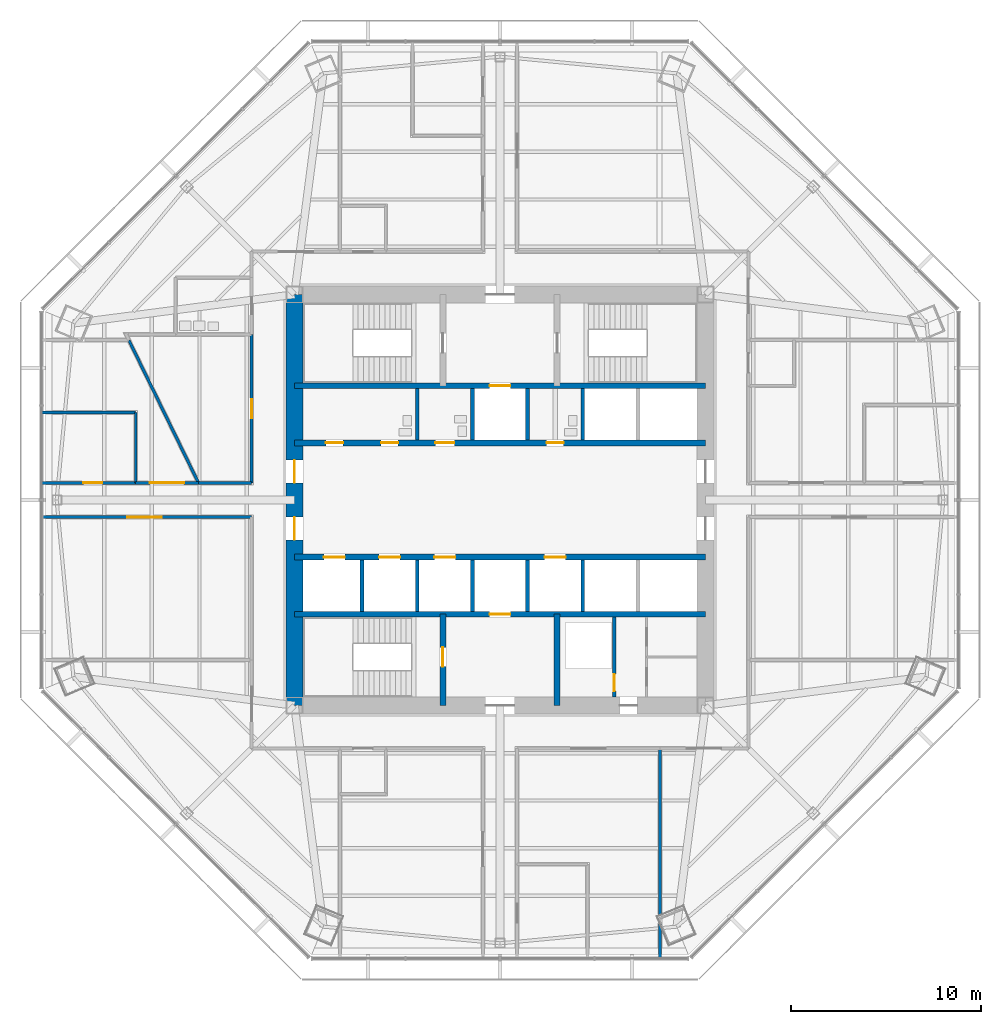
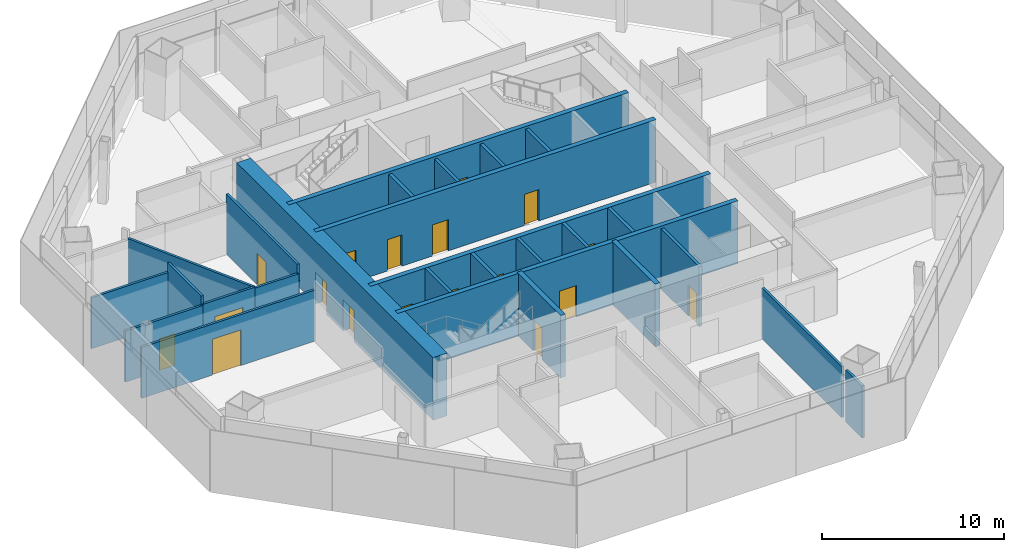
# One storey, part 9 of 14: 27 walls, 18 doors, 18 openings.
"""IFC4 building model written with IfcOpenShell, lengths in metres."""

from ifc_helpers import new_model, si_unit, direction, frame, frame_2d, origin, place, context, subcontext, project, spatial, rectangle, extrude, material, layer, layer_set, type_object, element, fill, save


model = new_model("IFC4")

# Units and contexts
model_context = context("Model", 3, precision=1e-05, world=origin(), true_north=direction((0.0, 1.0)))
body_context = subcontext(model_context, "Body", "Model", "MODEL_VIEW")
ifc_project = project(units=[si_unit("LENGTHUNIT", "METRE"), si_unit("AREAUNIT", "SQUARE_METRE"), si_unit("VOLUMEUNIT", "CUBIC_METRE"), si_unit("PLANEANGLEUNIT", "RADIAN"), si_unit("MASSUNIT", "GRAM", prefix="KILO")], contexts=[model_context])

# Site, building, storey
site_placement = place(None, origin())
site = spatial("IfcSite", under=ifc_project, at=site_placement, CompositionType="ELEMENT")
building_placement = place(site_placement, origin())
building = spatial("IfcBuilding", under=site, at=building_placement, Name="Mashrafa Tower", CompositionType="ELEMENT")
storey_placement = place(building_placement, frame((0.0, 0.0, 138.60009765625)))
storey = spatial("IfcBuildingStorey", under=building, at=storey_placement, Name="L31", CompositionType="ELEMENT", Elevation=138.60009765625)

# Wall, opening, door
ifc_material_1 = material(Name="Concrete masonry unit", Category="masonry")
ifc_layer_1 = layer(ifc_material_1, 0.199951171875)
ifc_layer_set_1 = layer_set([ifc_layer_1], Name="Blockwork wall 200 2 hr")
wall_type_1 = type_object("IfcWallType", Name="Blockwork wall 200 2 hr", PredefinedType="PARTITIONING", material=ifc_layer_set_1)
wall_1_placement = place(storey_placement, frame((6.0, -10.35009765625, 0.0), z_axis=(0.0, 0.0, 1.0), x_axis=(0.0, 1.0, 0.0)))
wall_1 = element("IfcWall", 1, at=wall_1_placement, inside=storey, type_object=wall_type_1, Name="Riser enclosure wall L31", PredefinedType="PARTITIONING", context=body_context, shape_type="SweptSolid", body=[
    extrude(rectangle(XDim=4.2001953125, YDim=0.199951171875, at=frame_2d((2.10009765625, 0.0))), origin(), (0.0, 0.0, 1.0), 4.034912109375),
])
opening_1_placement = place(wall_1_placement, frame((0.300048828125, 0.0, 0.0)))
opening_1 = element("IfcOpeningElement", 2, at=opening_1_placement, cuts=wall_1, Name="Opening 31.032", PredefinedType="OPENING", context=body_context, shape_type="SweptSolid", body=[
    extrude(rectangle(XDim=0.89990234375, YDim=2.10009765625, at=frame_2d((0.449951171875, 1.050048828125))), frame((0.0, 0.10986328125, 0.0), z_axis=(0.0, -1.0, 0.0), x_axis=(1.0, 0.0, 0.0)), (0.0, 0.0, 1.0), 0.219970703125),
])
ifc_material_2 = material(Name="Steel door", Category="steel")
door_type_1 = type_object("IfcDoorType", Name="Service door 900 x 2100 90 min", OperationType="USERDEFINED", PredefinedType="DOOR", material=ifc_material_2)
door_1_placement = place(opening_1_placement, origin())
door_1 = element("IfcDoor", 3, at=door_1_placement, inside=storey, type_object=door_type_1, Name="Riser door L31", OperationType="SINGLE_SWING_LEFT", OverallHeight=2.10009765625, OverallWidth=0.89990234375, PredefinedType="DOOR", context=body_context, shape_type="SweptSolid", body=[
    extrude(rectangle(XDim=0.89990234375, YDim=2.10009765625, at=frame_2d((0.449951171875, 1.050048828125))), frame((0.0, 0.02490234375, 0.0), z_axis=(0.0, -1.0, 0.0), x_axis=(1.0, 0.0, 0.0)), (0.0, 0.0, 1.0), 0.050048828125),
])
fill(opening_1, door_1)

# Wall, openings, doors
ifc_material_3 = material(Name="Concrete C60/75", Category="concrete")
ifc_layer_2 = layer(ifc_material_3, 0.300048828125)
ifc_layer_set_2 = layer_set([ifc_layer_2], Name="Core wall 300 C60/75")
wall_type_2 = type_object("IfcWallType", Name="Core wall 300 C60/75", PredefinedType="SOLIDWALL", material=ifc_layer_set_2)
wall_2_placement = place(storey_placement, frame((-10.800048828125, 3.0, 0.0), z_axis=(0.0, 0.0, 1.0), x_axis=(1.0, 0.0, 0.0)))
wall_2 = element("IfcWall", 4, at=wall_2_placement, inside=storey, type_object=wall_type_2, Name="Core wall CH-N L31", PredefinedType="SOLIDWALL", context=body_context, shape_type="SweptSolid", body=[
    extrude(rectangle(XDim=21.60009765625, YDim=0.300048828125, at=frame_2d((10.800048828125, 0.0))), origin(), (0.0, 0.0, 1.0), 4.199951171875),
])
opening_2_placement = place(wall_2_placement, frame((1.64990234375, 0.0, 0.0)))
opening_2 = element("IfcOpeningElement", 5, at=opening_2_placement, cuts=wall_2, Name="Opening 31.035", PredefinedType="OPENING", context=body_context, shape_type="SweptSolid", body=[
    extrude(rectangle(XDim=0.89990234375, YDim=2.10009765625, at=frame_2d((0.449951171875, 1.050048828125))), frame((0.0, 0.159912109375, 0.0), z_axis=(0.0, -1.0, 0.0), x_axis=(1.0, 0.0, 0.0)), (0.0, 0.0, 1.0), 0.320068359375),
])
opening_3_placement = place(wall_2_placement, frame((4.550048828125, 0.0, 0.0)))
opening_3 = element("IfcOpeningElement", 6, at=opening_3_placement, cuts=wall_2, Name="Opening 31.036", PredefinedType="OPENING", context=body_context, shape_type="SweptSolid", body=[
    extrude(rectangle(XDim=0.89990234375, YDim=2.10009765625, at=frame_2d((0.449951171875, 1.050048828125))), frame((0.0, 0.159912109375, 0.0), z_axis=(0.0, -1.0, 0.0), x_axis=(1.0, 0.0, 0.0)), (0.0, 0.0, 1.0), 0.320068359375),
])
opening_4_placement = place(wall_2_placement, frame((7.39990234375, 0.0, 0.0)))
opening_4 = element("IfcOpeningElement", 7, at=opening_4_placement, cuts=wall_2, Name="Opening 31.037", PredefinedType="OPENING", context=body_context, shape_type="SweptSolid", body=[
    extrude(rectangle(XDim=1.0, YDim=2.10009765625, at=frame_2d((0.5, 1.050048828125))), frame((0.0, 0.159912109375, 0.0), z_axis=(0.0, -1.0, 0.0), x_axis=(1.0, 0.0, 0.0)), (0.0, 0.0, 1.0), 0.320068359375),
])
opening_5_placement = place(wall_2_placement, frame((13.25, 0.0, 0.0)))
opening_5 = element("IfcOpeningElement", 8, at=opening_5_placement, cuts=wall_2, Name="Opening 31.038", PredefinedType="OPENING", context=body_context, shape_type="SweptSolid", body=[
    extrude(rectangle(XDim=0.89990234375, YDim=2.10009765625, at=frame_2d((0.449951171875, 1.050048828125))), frame((0.0, 0.159912109375, 0.0), z_axis=(0.0, -1.0, 0.0), x_axis=(1.0, 0.0, 0.0)), (0.0, 0.0, 1.0), 0.320068359375),
])
ifc_material_4 = material(Name="Timber door", Category="wood")
door_type_2 = type_object("IfcDoorType", Name="Accessible toilet door 1000 x 2100", OperationType="USERDEFINED", PredefinedType="DOOR", material=ifc_material_4)
door_2_placement = place(opening_4_placement, origin())
door_2 = element("IfcDoor", 9, at=door_2_placement, inside=storey, type_object=door_type_2, Name="Accessible WC L31 door", OperationType="SINGLE_SWING_LEFT", OverallHeight=2.10009765625, OverallWidth=1.0, PredefinedType="DOOR", context=body_context, shape_type="SweptSolid", body=[
    extrude(rectangle(XDim=1.0, YDim=2.10009765625, at=frame_2d((0.5, 1.050048828125))), frame((0.0, 0.02490234375, 0.0), z_axis=(0.0, -1.0, 0.0), x_axis=(1.0, 0.0, 0.0)), (0.0, 0.0, 1.0), 0.050048828125),
])
fill(opening_4, door_2)
ifc_material_5 = material(Name="Timber door", Category="wood")
door_type_3 = type_object("IfcDoorType", Name="Toilet door 900 x 2100", OperationType="USERDEFINED", PredefinedType="DOOR", material=ifc_material_5)
door_3_placement = place(opening_2_placement, origin())
door_3 = element("IfcDoor", 10, at=door_3_placement, inside=storey, type_object=door_type_3, Name="WC Female L31 door", OperationType="SINGLE_SWING_LEFT", OverallHeight=2.10009765625, OverallWidth=0.89990234375, PredefinedType="DOOR", context=body_context, shape_type="SweptSolid", body=[
    extrude(rectangle(XDim=0.89990234375, YDim=2.10009765625, at=frame_2d((0.449951171875, 1.050048828125))), frame((0.0, 0.02490234375, 0.0), z_axis=(0.0, -1.0, 0.0), x_axis=(1.0, 0.0, 0.0)), (0.0, 0.0, 1.0), 0.050048828125),
])
fill(opening_2, door_3)
door_4_placement = place(opening_3_placement, origin())
door_4 = element("IfcDoor", 11, at=door_4_placement, inside=storey, type_object=door_type_3, Name="WC Female L31 door", OperationType="SINGLE_SWING_RIGHT", OverallHeight=2.10009765625, OverallWidth=0.89990234375, PredefinedType="DOOR", context=body_context, shape_type="SweptSolid", body=[
    extrude(rectangle(XDim=0.89990234375, YDim=2.10009765625, at=frame_2d((0.449951171875, 1.050048828125))), frame((0.0, 0.02490234375, 0.0), z_axis=(0.0, -1.0, 0.0), x_axis=(1.0, 0.0, 0.0)), (0.0, 0.0, 1.0), 0.050048828125),
])
fill(opening_3, door_4)
door_5_placement = place(opening_5_placement, origin())
door_5 = element("IfcDoor", 12, at=door_5_placement, inside=storey, type_object=door_type_3, Name="WC Male L31 door", OperationType="SINGLE_SWING_LEFT", OverallHeight=2.10009765625, OverallWidth=0.89990234375, PredefinedType="DOOR", context=body_context, shape_type="SweptSolid", body=[
    extrude(rectangle(XDim=0.89990234375, YDim=2.10009765625, at=frame_2d((0.449951171875, 1.050048828125))), frame((0.0, 0.02490234375, 0.0), z_axis=(0.0, -1.0, 0.0), x_axis=(1.0, 0.0, 0.0)), (0.0, 0.0, 1.0), 0.050048828125),
])
fill(opening_5, door_5)

# Wall, opening, door
wall_3_placement = place(storey_placement, frame((-10.800048828125, 6.0, 0.0), z_axis=(0.0, 0.0, 1.0), x_axis=(1.0, 0.0, 0.0)))
wall_3 = element("IfcWall", 13, at=wall_3_placement, inside=storey, type_object=wall_type_2, Name="Core wall CB-N L31", PredefinedType="SOLIDWALL", context=body_context, shape_type="SweptSolid", body=[
    extrude(rectangle(XDim=21.60009765625, YDim=0.300048828125, at=frame_2d((10.800048828125, 0.0))), origin(), (0.0, 0.0, 1.0), 4.199951171875),
])
opening_6_placement = place(wall_3_placement, frame((10.25, 0.0, 0.0)))
opening_6 = element("IfcOpeningElement", 14, at=opening_6_placement, cuts=wall_3, Name="Opening 31.F1", PredefinedType="OPENING", context=body_context, shape_type="SweptSolid", body=[
    extrude(rectangle(XDim=1.10009765625, YDim=2.10009765625, at=frame_2d((0.550048828125, 1.050048828125))), frame((0.0, 0.159912109375, 0.0), z_axis=(0.0, -1.0, 0.0), x_axis=(1.0, 0.0, 0.0)), (0.0, 0.0, 1.0), 0.320068359375),
])
ifc_material_6 = material(Name="Steel door", Category="steel")
door_type_4 = type_object("IfcDoorType", Name="Lift landing door 1100 x 2100 90 min", OperationType="DOUBLE_DOOR_SLIDING", PredefinedType="DOOR", material=ifc_material_6)
door_6_placement = place(opening_6_placement, origin())
door_6 = element("IfcDoor", 15, at=door_6_placement, inside=storey, type_object=door_type_4, Name="Lift landing door F1 L31", OperationType="DOUBLE_DOOR_SLIDING", OverallHeight=2.10009765625, OverallWidth=1.10009765625, PredefinedType="DOOR", context=body_context, shape_type="SweptSolid", body=[
    extrude(rectangle(XDim=1.10009765625, YDim=2.10009765625, at=frame_2d((0.550048828125, 1.050048828125))), frame((0.0, 0.02490234375, 0.0), z_axis=(0.0, -1.0, 0.0), x_axis=(1.0, 0.0, 0.0)), (0.0, 0.0, 1.0), 0.050048828125),
])
fill(opening_6, door_6)

# Wall, openings, doors
wall_4_placement = place(storey_placement, frame((-10.800048828125, -3.0, 0.0), z_axis=(0.0, 0.0, 1.0), x_axis=(1.0, 0.0, 0.0)))
wall_4 = element("IfcWall", 16, at=wall_4_placement, inside=storey, type_object=wall_type_2, Name="Core wall CH-S L31", PredefinedType="SOLIDWALL", context=body_context, shape_type="SweptSolid", body=[
    extrude(rectangle(XDim=21.60009765625, YDim=0.300048828125, at=frame_2d((10.800048828125, 0.0))), origin(), (0.0, 0.0, 1.0), 4.199951171875),
])
opening_7_placement = place(wall_4_placement, frame((1.550048828125, 0.0, 0.0)))
opening_7 = element("IfcOpeningElement", 17, at=opening_7_placement, cuts=wall_4, Name="Opening 31.B1", PredefinedType="OPENING", context=body_context, shape_type="SweptSolid", body=[
    extrude(rectangle(XDim=1.10009765625, YDim=2.10009765625, at=frame_2d((0.550048828125, 1.050048828125))), frame((0.0, 0.159912109375, 0.0), z_axis=(0.0, -1.0, 0.0), x_axis=(1.0, 0.0, 0.0)), (0.0, 0.0, 1.0), 0.320068359375),
])
opening_8_placement = place(wall_4_placement, frame((4.449951171875, 0.0, 0.0)))
opening_8 = element("IfcOpeningElement", 18, at=opening_8_placement, cuts=wall_4, Name="Opening 31.B2", PredefinedType="OPENING", context=body_context, shape_type="SweptSolid", body=[
    extrude(rectangle(XDim=1.10009765625, YDim=2.10009765625, at=frame_2d((0.550048828125, 1.050048828125))), frame((0.0, 0.159912109375, 0.0), z_axis=(0.0, -1.0, 0.0), x_axis=(1.0, 0.0, 0.0)), (0.0, 0.0, 1.0), 0.320068359375),
])
opening_9_placement = place(wall_4_placement, frame((7.35009765625, 0.0, 0.0)))
opening_9 = element("IfcOpeningElement", 19, at=opening_9_placement, cuts=wall_4, Name="Opening 31.B3", PredefinedType="OPENING", context=body_context, shape_type="SweptSolid", body=[
    extrude(rectangle(XDim=1.10009765625, YDim=2.10009765625, at=frame_2d((0.550048828125, 1.050048828125))), frame((0.0, 0.159912109375, 0.0), z_axis=(0.0, -1.0, 0.0), x_axis=(1.0, 0.0, 0.0)), (0.0, 0.0, 1.0), 0.320068359375),
])
opening_10_placement = place(wall_4_placement, frame((13.14990234375, 0.0, 0.0)))
opening_10 = element("IfcOpeningElement", 20, at=opening_10_placement, cuts=wall_4, Name="Opening 31.B4", PredefinedType="OPENING", context=body_context, shape_type="SweptSolid", body=[
    extrude(rectangle(XDim=1.10009765625, YDim=2.10009765625, at=frame_2d((0.550048828125, 1.050048828125))), frame((0.0, 0.159912109375, 0.0), z_axis=(0.0, -1.0, 0.0), x_axis=(1.0, 0.0, 0.0)), (0.0, 0.0, 1.0), 0.320068359375),
])
door_7_placement = place(opening_7_placement, origin())
door_7 = element("IfcDoor", 21, at=door_7_placement, inside=storey, type_object=door_type_4, Name="Lift landing door B1 L31", OperationType="DOUBLE_DOOR_SLIDING", OverallHeight=2.10009765625, OverallWidth=1.10009765625, PredefinedType="DOOR", context=body_context, shape_type="SweptSolid", body=[
    extrude(rectangle(XDim=1.10009765625, YDim=2.10009765625, at=frame_2d((0.550048828125, 1.050048828125))), frame((0.0, 0.02490234375, 0.0), z_axis=(0.0, -1.0, 0.0), x_axis=(1.0, 0.0, 0.0)), (0.0, 0.0, 1.0), 0.050048828125),
])
fill(opening_7, door_7)
door_8_placement = place(opening_8_placement, origin())
door_8 = element("IfcDoor", 22, at=door_8_placement, inside=storey, type_object=door_type_4, Name="Lift landing door B2 L31", OperationType="DOUBLE_DOOR_SLIDING", OverallHeight=2.10009765625, OverallWidth=1.10009765625, PredefinedType="DOOR", context=body_context, shape_type="SweptSolid", body=[
    extrude(rectangle(XDim=1.10009765625, YDim=2.10009765625, at=frame_2d((0.550048828125, 1.050048828125))), frame((0.0, 0.02490234375, 0.0), z_axis=(0.0, -1.0, 0.0), x_axis=(1.0, 0.0, 0.0)), (0.0, 0.0, 1.0), 0.050048828125),
])
fill(opening_8, door_8)
door_9_placement = place(opening_9_placement, origin())
door_9 = element("IfcDoor", 23, at=door_9_placement, inside=storey, type_object=door_type_4, Name="Lift landing door B3 L31", OperationType="DOUBLE_DOOR_SLIDING", OverallHeight=2.10009765625, OverallWidth=1.10009765625, PredefinedType="DOOR", context=body_context, shape_type="SweptSolid", body=[
    extrude(rectangle(XDim=1.10009765625, YDim=2.10009765625, at=frame_2d((0.550048828125, 1.050048828125))), frame((0.0, 0.02490234375, 0.0), z_axis=(0.0, -1.0, 0.0), x_axis=(1.0, 0.0, 0.0)), (0.0, 0.0, 1.0), 0.050048828125),
])
fill(opening_9, door_9)
door_10_placement = place(opening_10_placement, origin())
door_10 = element("IfcDoor", 24, at=door_10_placement, inside=storey, type_object=door_type_4, Name="Lift landing door B4 L31", OperationType="DOUBLE_DOOR_SLIDING", OverallHeight=2.10009765625, OverallWidth=1.10009765625, PredefinedType="DOOR", context=body_context, shape_type="SweptSolid", body=[
    extrude(rectangle(XDim=1.10009765625, YDim=2.10009765625, at=frame_2d((0.550048828125, 1.050048828125))), frame((0.0, 0.02490234375, 0.0), z_axis=(0.0, -1.0, 0.0), x_axis=(1.0, 0.0, 0.0)), (0.0, 0.0, 1.0), 0.050048828125),
])
fill(opening_10, door_10)

# Wall, opening, door
wall_5_placement = place(storey_placement, frame((-10.800048828125, -6.0, 0.0), z_axis=(0.0, 0.0, 1.0), x_axis=(1.0, 0.0, 0.0)))
wall_5 = element("IfcWall", 25, at=wall_5_placement, inside=storey, type_object=wall_type_2, Name="Core wall CB-S L31", PredefinedType="SOLIDWALL", context=body_context, shape_type="SweptSolid", body=[
    extrude(rectangle(XDim=21.60009765625, YDim=0.300048828125, at=frame_2d((10.800048828125, 0.0))), origin(), (0.0, 0.0, 1.0), 4.199951171875),
])
opening_11_placement = place(wall_5_placement, frame((10.25, 0.0, 0.0)))
opening_11 = element("IfcOpeningElement", 26, at=opening_11_placement, cuts=wall_5, Name="Opening 31.F2", PredefinedType="OPENING", context=body_context, shape_type="SweptSolid", body=[
    extrude(rectangle(XDim=1.10009765625, YDim=2.10009765625, at=frame_2d((0.550048828125, 1.050048828125))), frame((0.0, 0.159912109375, 0.0), z_axis=(0.0, -1.0, 0.0), x_axis=(1.0, 0.0, 0.0)), (0.0, 0.0, 1.0), 0.320068359375),
])
door_11_placement = place(opening_11_placement, origin())
door_11 = element("IfcDoor", 27, at=door_11_placement, inside=storey, type_object=door_type_4, Name="Lift landing door F2 L31", OperationType="DOUBLE_DOOR_SLIDING", OverallHeight=2.10009765625, OverallWidth=1.10009765625, PredefinedType="DOOR", context=body_context, shape_type="SweptSolid", body=[
    extrude(rectangle(XDim=1.10009765625, YDim=2.10009765625, at=frame_2d((0.550048828125, 1.050048828125))), frame((0.0, 0.02490234375, 0.0), z_axis=(0.0, -1.0, 0.0), x_axis=(1.0, 0.0, 0.0)), (0.0, 0.0, 1.0), 0.050048828125),
])
fill(opening_11, door_11)

wall_6_placement = place(storey_placement, frame((-3.0, -6.0, 0.0), z_axis=(0.0, 0.0, 1.0), x_axis=(0.0, -1.0, 0.0)))
wall_6 = element("IfcWall", 28, at=wall_6_placement, inside=storey, type_object=wall_type_2, Name="Core wall CX-SW L31", PredefinedType="SOLIDWALL", context=body_context, shape_type="SweptSolid", body=[
    extrude(rectangle(XDim=4.800048828125, YDim=0.300048828125, at=frame_2d((2.39990234375, 0.0))), origin(), (0.0, 0.0, 1.0), 4.199951171875),
])
opening_12_placement = place(wall_6_placement, frame((1.75, 0.0, 0.0)))
opening_12 = element("IfcOpeningElement", 29, at=opening_12_placement, cuts=wall_6, Name="Opening 31.030", PredefinedType="OPENING", context=body_context, shape_type="SweptSolid", body=[
    extrude(rectangle(XDim=1.0, YDim=2.10009765625, at=frame_2d((0.5, 1.050048828125))), frame((0.0, 0.159912109375, 0.0), z_axis=(0.0, -1.0, 0.0), x_axis=(1.0, 0.0, 0.0)), (0.0, 0.0, 1.0), 0.320068359375),
])
ifc_material_7 = material(Name="Steel door", Category="steel")
door_type_5 = type_object("IfcDoorType", Name="Stair door 1000 x 2100 90 min", OperationType="USERDEFINED", PredefinedType="DOOR", material=ifc_material_7)
door_12_placement = place(opening_12_placement, frame((1.0, 0.0, 0.0), z_axis=(0.0, 0.0, 1.0), x_axis=(-1.0, 0.0, 0.0)))
door_12 = element("IfcDoor", 30, at=door_12_placement, inside=storey, type_object=door_type_5, Name="Stair S3 door L31", OperationType="SINGLE_SWING_RIGHT", OverallHeight=2.10009765625, OverallWidth=1.0, PredefinedType="DOOR", context=body_context, shape_type="SweptSolid", body=[
    extrude(rectangle(XDim=1.0, YDim=2.10009765625, at=frame_2d((0.5, 1.050048828125))), frame((0.0, 0.02490234375, 0.0), z_axis=(0.0, -1.0, 0.0), x_axis=(1.0, 0.0, 0.0)), (0.0, 0.0, 1.0), 0.050048828125),
])
fill(opening_12, door_12)

# Wall
wall_7_placement = place(storey_placement, frame((3.0, -6.0, 0.0), z_axis=(0.0, 0.0, 1.0), x_axis=(0.0, -1.0, 0.0)))
element("IfcWall", 31, at=wall_7_placement, inside=storey, type_object=wall_type_2, Name="Core wall CX-SE L31", PredefinedType="SOLIDWALL", context=body_context, shape_type="SweptSolid", body=[
    extrude(rectangle(XDim=4.800048828125, YDim=0.300048828125, at=frame_2d((2.39990234375, 0.0))), origin(), (0.0, 0.0, 1.0), 4.199951171875),
])

# Wall, openings, doors
ifc_material_8 = material(Name="Concrete C60/75", Category="concrete")
ifc_layer_3 = layer(ifc_material_8, 0.89990234375)
ifc_layer_set_3 = layer_set([ifc_layer_3], Name="Core wall 900 C60/75")
wall_type_3 = type_object("IfcWallType", Name="Core wall 900 C60/75", PredefinedType="SOLIDWALL", material=ifc_layer_set_3)
wall_8_placement = place(storey_placement, frame((-10.800048828125, 10.800048828125, 0.0), z_axis=(0.0, 0.0, 1.0), x_axis=(0.0, -1.0, 0.0)))
wall_8 = element("IfcWall", 32, at=wall_8_placement, inside=storey, type_object=wall_type_3, Name="Core wall CW-W L31", PredefinedType="SOLIDWALL", context=body_context, shape_type="SweptSolid", body=[
    extrude(rectangle(XDim=21.60009765625, YDim=0.89990234375, at=frame_2d((10.800048828125, 0.0))), origin(), (0.0, 0.0, 1.0), 4.199951171875),
])
opening_13_placement = place(wall_8_placement, frame((8.699951171875, 0.0, 0.0)))
opening_13 = element("IfcOpeningElement", 33, at=opening_13_placement, cuts=wall_8, Name="Opening 31.023", PredefinedType="OPENING", context=body_context, shape_type="SweptSolid", body=[
    extrude(rectangle(XDim=1.199951171875, YDim=2.10009765625, at=frame_2d((0.60009765625, 1.050048828125))), frame((0.0, 0.4599609375, 0.0), z_axis=(0.0, -1.0, 0.0), x_axis=(1.0, 0.0, 0.0)), (0.0, 0.0, 1.0), 0.919921875),
])
opening_14_placement = place(wall_8_placement, frame((11.699951171875, 0.0, 0.0)))
opening_14 = element("IfcOpeningElement", 34, at=opening_14_placement, cuts=wall_8, Name="Opening 31.025", PredefinedType="OPENING", context=body_context, shape_type="SweptSolid", body=[
    extrude(rectangle(XDim=1.199951171875, YDim=2.10009765625, at=frame_2d((0.60009765625, 1.050048828125))), frame((0.0, 0.4599609375, 0.0), z_axis=(0.0, -1.0, 0.0), x_axis=(1.0, 0.0, 0.0)), (0.0, 0.0, 1.0), 0.919921875),
])
ifc_material_9 = material(Name="Steel door", Category="steel")
door_type_6 = type_object("IfcDoorType", Name="Lift hall door 1200 x 2100 90 min", OperationType="USERDEFINED", PredefinedType="DOOR", material=ifc_material_9)
door_13_placement = place(opening_13_placement, frame((1.199951171875, 0.0, 0.0), z_axis=(0.0, 0.0, 1.0), x_axis=(-1.0, 0.0, 0.0)))
door_13 = element("IfcDoor", 35, at=door_13_placement, inside=storey, type_object=door_type_6, Name="Lift hall door west L31", OperationType="SINGLE_SWING_RIGHT", OverallHeight=2.10009765625, OverallWidth=1.199951171875, PredefinedType="DOOR", context=body_context, shape_type="SweptSolid", body=[
    extrude(rectangle(XDim=1.199951171875, YDim=2.10009765625, at=frame_2d((0.60009765625, 1.050048828125))), frame((0.0, 0.02490234375, 0.0), z_axis=(0.0, -1.0, 0.0), x_axis=(1.0, 0.0, 0.0)), (0.0, 0.0, 1.0), 0.050048828125),
])
fill(opening_13, door_13)
door_14_placement = place(opening_14_placement, frame((1.199951171875, 0.0, 0.0), z_axis=(0.0, 0.0, 1.0), x_axis=(-1.0, 0.0, 0.0)))
door_14 = element("IfcDoor", 36, at=door_14_placement, inside=storey, type_object=door_type_6, Name="Lift hall door west L31", OperationType="SINGLE_SWING_LEFT", OverallHeight=2.10009765625, OverallWidth=1.199951171875, PredefinedType="DOOR", context=body_context, shape_type="SweptSolid", body=[
    extrude(rectangle(XDim=1.199951171875, YDim=2.10009765625, at=frame_2d((0.60009765625, 1.050048828125))), frame((0.0, 0.02490234375, 0.0), z_axis=(0.0, -1.0, 0.0), x_axis=(1.0, 0.0, 0.0)), (0.0, 0.0, 1.0), 0.050048828125),
])
fill(opening_14, door_14)

# Wall, opening, door
ifc_material_10 = material(Name="Gypsum board on steel studs", Category="steel")
ifc_layer_4 = layer(ifc_material_10, 0.14990234375)
ifc_layer_set_4 = layer_set([ifc_layer_4], Name="Corridor partition 150 1 hr")
wall_type_4 = type_object("IfcWallType", Name="Corridor partition 150 1 hr", PredefinedType="PARTITIONING", material=ifc_layer_set_4)
wall_9_placement = place(storey_placement, frame((-13.050048828125, 8.700927734375, 0.0), z_axis=(0.0, 0.0, 1.0), x_axis=(0.0, -1.0, 0.0)))
wall_9 = element("IfcWall", 37, at=wall_9_placement, inside=storey, type_object=wall_type_4, Name="Corridor wall L31-001", PredefinedType="PARTITIONING", context=body_context, shape_type="SweptSolid", body=[
    extrude(rectangle(XDim=7.801025390625, YDim=0.14990234375, at=frame_2d((3.900390625, 0.0))), origin(), (0.0, 0.0, 1.0), 4.034912109375),
])
opening_15_placement = place(wall_9_placement, frame((3.400390625, 0.0, 0.0)))
opening_15 = element("IfcOpeningElement", 38, at=opening_15_placement, cuts=wall_9, Name="Opening 31.001", PredefinedType="OPENING", context=body_context, shape_type="SweptSolid", body=[
    extrude(rectangle(XDim=1.0, YDim=2.10009765625, at=frame_2d((0.5, 1.050048828125))), frame((0.0, 0.0849609375, 0.0), z_axis=(0.0, -1.0, 0.0), x_axis=(1.0, 0.0, 0.0)), (0.0, 0.0, 1.0), 0.169921875),
])
ifc_material_11 = material(Name="Timber door", Category="wood")
door_type_7 = type_object("IfcDoorType", Name="Door 1000 x 2100", OperationType="USERDEFINED", PredefinedType="DOOR", material=ifc_material_11)
door_15_placement = place(opening_15_placement, frame((1.0, 0.0, 0.0), z_axis=(0.0, 0.0, 1.0), x_axis=(-1.0, 0.0, 0.0)))
door_15 = element("IfcDoor", 39, at=door_15_placement, inside=storey, type_object=door_type_7, Name="Musallah Prayer Room 31 door", OperationType="SINGLE_SWING_LEFT", OverallHeight=2.10009765625, OverallWidth=1.0, PredefinedType="DOOR", context=body_context, shape_type="SweptSolid", body=[
    extrude(rectangle(XDim=1.0, YDim=2.10009765625, at=frame_2d((0.5, 1.050048828125))), frame((0.0, 0.02490234375, 0.0), z_axis=(0.0, -1.0, 0.0), x_axis=(1.0, 0.0, 0.0)), (0.0, 0.0, 1.0), 0.050048828125),
])
fill(opening_15, door_15)

# Wall
wall_10_placement = place(storey_placement, frame((-13.050048828125, 0.89990234375, 0.0), z_axis=(0.0, 0.0, 1.0), x_axis=(-1.0, 0.0, 0.0)))
element("IfcWall", 40, at=wall_10_placement, inside=storey, type_object=wall_type_4, Name="Corridor wall L31-002", PredefinedType="PARTITIONING", context=body_context, shape_type="SweptSolid", body=[
    extrude(rectangle(XDim=2.796630859375, YDim=0.14990234375, at=frame_2d((1.3984375, 0.0))), origin(), (0.0, 0.0, 1.0), 3.425537109375),
])

# Wall, opening, door
wall_11_placement = place(storey_placement, frame((-19.142822265625, 0.89990234375, 0.0), z_axis=(0.0, 0.0, 1.0), x_axis=(-1.0, 0.0, 0.0)))
wall_11 = element("IfcWall", 41, at=wall_11_placement, inside=storey, type_object=wall_type_4, Name="Corridor wall L31-007", PredefinedType="PARTITIONING", context=body_context, shape_type="SweptSolid", body=[
    extrude(rectangle(XDim=4.93505859375, YDim=0.14990234375, at=frame_2d((2.467529296875, 0.0))), origin(), (0.0, 0.0, 1.0), 3.425537109375),
])
opening_16_placement = place(wall_11_placement, frame((1.75048828125, 0.0, 0.0)))
opening_16 = element("IfcOpeningElement", 42, at=opening_16_placement, cuts=wall_11, Name="Opening 31.006", PredefinedType="OPENING", context=body_context, shape_type="SweptSolid", body=[
    extrude(rectangle(XDim=1.0, YDim=2.10009765625, at=frame_2d((0.5, 1.050048828125))), frame((0.0, 0.0849609375, 0.0), z_axis=(0.0, -1.0, 0.0), x_axis=(1.0, 0.0, 0.0)), (0.0, 0.0, 1.0), 0.169921875),
])
door_16_placement = place(opening_16_placement, frame((1.0, 0.0, 0.0), z_axis=(0.0, 0.0, 1.0), x_axis=(-1.0, 0.0, 0.0)))
door_16 = element("IfcDoor", 43, at=door_16_placement, inside=storey, type_object=door_type_7, Name="Meeting Room 31-W door", OperationType="SINGLE_SWING_RIGHT", OverallHeight=2.10009765625, OverallWidth=1.0, PredefinedType="DOOR", context=body_context, shape_type="SweptSolid", body=[
    extrude(rectangle(XDim=1.0, YDim=2.10009765625, at=frame_2d((0.5, 1.050048828125))), frame((0.0, 0.02490234375, 0.0), z_axis=(0.0, -1.0, 0.0), x_axis=(1.0, 0.0, 0.0)), (0.0, 0.0, 1.0), 0.050048828125),
])
fill(opening_16, door_16)

wall_12_placement = place(storey_placement, frame((-15.844482421875, 0.89990234375, 0.0), z_axis=(0.0, 0.0, 1.0), x_axis=(-1.0, 0.0, 0.0)))
wall_12 = element("IfcWall", 44, at=wall_12_placement, inside=storey, type_object=wall_type_4, Name="Corridor wall L31-019", PredefinedType="PARTITIONING", context=body_context, shape_type="SweptSolid", body=[
    extrude(rectangle(XDim=3.300537109375, YDim=0.14990234375, at=frame_2d((1.650390625, 0.0))), origin(), (0.0, 0.0, 1.0), 3.4990234375),
])
opening_17_placement = place(wall_12_placement, frame((0.750244140625, 0.0, 0.0)))
opening_17 = element("IfcOpeningElement", 45, at=opening_17_placement, cuts=wall_12, Name="Opening 31.014", PredefinedType="OPENING", context=body_context, shape_type="SweptSolid", body=[
    extrude(rectangle(XDim=1.800048828125, YDim=2.39990234375, at=frame_2d((0.89990234375, 1.199951171875))), frame((0.0, 0.0849609375, 0.0), z_axis=(0.0, -1.0, 0.0), x_axis=(1.0, 0.0, 0.0)), (0.0, 0.0, 1.0), 0.169921875),
])
ifc_material_12 = material(Name="Timber door", Category="wood")
door_type_8 = type_object("IfcDoorType", Name="Door pair 1800 x 2400", OperationType="DOUBLE_DOOR_SINGLE_SWING", PredefinedType="DOOR", material=ifc_material_12)
door_17_placement = place(opening_17_placement, frame((1.800048828125, 0.0, 0.0), z_axis=(0.0, 0.0, 1.0), x_axis=(-1.0, 0.0, 0.0)))
door_17 = element("IfcDoor", 46, at=door_17_placement, inside=storey, type_object=door_type_8, Name="Office Suite 31-NW21 door", OperationType="DOUBLE_DOOR_SINGLE_SWING", OverallHeight=2.39990234375, OverallWidth=1.800048828125, PredefinedType="DOOR", context=body_context, shape_type="SweptSolid", body=[
    extrude(rectangle(XDim=1.800048828125, YDim=2.39990234375, at=frame_2d((0.89990234375, 1.199951171875))), frame((0.0, 0.02490234375, 0.0), z_axis=(0.0, -1.0, 0.0), x_axis=(1.0, 0.0, 0.0)), (0.0, 0.0, 1.0), 0.050048828125),
])
fill(opening_17, door_17)

wall_13_placement = place(storey_placement, frame((-24.077880859375, -0.89990234375, 0.0), z_axis=(0.0, 0.0, 1.0), x_axis=(1.0, 0.0, 0.0)))
wall_13 = element("IfcWall", 47, at=wall_13_placement, inside=storey, type_object=wall_type_4, Name="Corridor wall L31-024", PredefinedType="PARTITIONING", context=body_context, shape_type="SweptSolid", body=[
    extrude(rectangle(XDim=11.02783203125, YDim=0.14990234375, at=frame_2d((5.513916015625, 0.0))), origin(), (0.0, 0.0, 1.0), 3.425537109375),
])
opening_18_placement = place(wall_13_placement, frame((4.49609375, 0.0, 0.0)))
opening_18 = element("IfcOpeningElement", 48, at=opening_18_placement, cuts=wall_13, Name="Opening 31.017", PredefinedType="OPENING", context=body_context, shape_type="SweptSolid", body=[
    extrude(rectangle(XDim=1.800048828125, YDim=2.39990234375, at=frame_2d((0.89990234375, 1.199951171875))), frame((0.0, 0.0849609375, 0.0), z_axis=(0.0, -1.0, 0.0), x_axis=(1.0, 0.0, 0.0)), (0.0, 0.0, 1.0), 0.169921875),
])
door_18_placement = place(opening_18_placement, frame((1.800048828125, 0.0, 0.0), z_axis=(0.0, 0.0, 1.0), x_axis=(-1.0, 0.0, 0.0)))
door_18 = element("IfcDoor", 49, at=door_18_placement, inside=storey, type_object=door_type_8, Name="Office Suite 31-SW21 door", OperationType="DOUBLE_DOOR_SINGLE_SWING", OverallHeight=2.39990234375, OverallWidth=1.800048828125, PredefinedType="DOOR", context=body_context, shape_type="SweptSolid", body=[
    extrude(rectangle(XDim=1.800048828125, YDim=2.39990234375, at=frame_2d((0.89990234375, 1.199951171875))), frame((0.0, 0.02490234375, 0.0), z_axis=(0.0, -1.0, 0.0), x_axis=(1.0, 0.0, 0.0)), (0.0, 0.0, 1.0), 0.050048828125),
])
fill(opening_18, door_18)

# Walls
ifc_material_13 = material(Name="Gypsum board on steel studs", Category="steel")
ifc_layer_5 = layer(ifc_material_13, 0.14990234375)
ifc_layer_set_5 = layer_set([ifc_layer_5], Name="Partition 150")
wall_type_5 = type_object("IfcWallType", Name="Partition 150", PredefinedType="PARTITIONING", material=ifc_layer_set_5)
wall_14_placement = place(storey_placement, frame((-19.5029296875, 8.398193359375, 0.0), z_axis=(0.0, 0.0, 1.0), x_axis=(0.438377506249, -0.898790944555, 0.0)))
element("IfcWall", 50, at=wall_14_placement, inside=storey, type_object=wall_type_5, Name="Partition wall L31-035", PredefinedType="PARTITIONING", context=body_context, shape_type="SweptSolid", body=[
    extrude(rectangle(XDim=8.342529296875, YDim=0.14990234375, at=frame_2d((4.17138671875, 0.0))), origin(), (0.0, 0.0, 1.0), 3.4990234375),
])
wall_15_placement = place(storey_placement, frame((-19.143798828125, 0.89990234375, 0.0), z_axis=(0.0, 0.0, 1.0), x_axis=(0.0, 1.0, 0.0)))
element("IfcWall", 51, at=wall_15_placement, inside=storey, type_object=wall_type_5, Name="Partition wall L31-046", PredefinedType="PARTITIONING", context=body_context, shape_type="SweptSolid", body=[
    extrude(rectangle(XDim=3.7001953125, YDim=0.14990234375, at=frame_2d((1.85009765625, 0.0))), origin(), (0.0, 0.0, 1.0), 4.034912109375),
])
wall_16_placement = place(storey_placement, frame((-19.143798828125, 4.60009765625, 0.0), z_axis=(0.0, 0.0, 1.0), x_axis=(-1.0, 0.0, 0.0)))
element("IfcWall", 52, at=wall_16_placement, inside=storey, type_object=wall_type_5, Name="Partition wall L31-047", PredefinedType="PARTITIONING", context=body_context, shape_type="SweptSolid", body=[
    extrude(rectangle(XDim=4.93212890625, YDim=0.14990234375, at=frame_2d((2.466064453125, 0.0))), origin(), (0.0, 0.0, 1.0), 3.425537109375),
])
wall_17_placement = place(storey_placement, frame((8.39990234375, -24.075927734375, 0.0), z_axis=(0.0, 0.0, 1.0), x_axis=(0.0, 1.0, 0.0)))
element("IfcWall", 53, at=wall_17_placement, inside=storey, type_object=wall_type_5, Name="Partition wall L31-067", PredefinedType="PARTITIONING", context=body_context, shape_type="SweptSolid", body=[
    extrude(rectangle(XDim=1.787109375, YDim=0.14990234375, at=frame_2d((0.8935546875, 0.0))), origin(), (0.0, 0.0, 1.0), 3.4990234375),
])
wall_18_placement = place(storey_placement, frame((8.39990234375, -21.810302734375, 0.0), z_axis=(0.0, 0.0, 1.0), x_axis=(0.0, 1.0, 0.0)))
element("IfcWall", 54, at=wall_18_placement, inside=storey, type_object=wall_type_5, Name="Partition wall L31-068", PredefinedType="PARTITIONING", context=body_context, shape_type="SweptSolid", body=[
    extrude(rectangle(XDim=8.76025390625, YDim=0.14990234375, at=frame_2d((4.380126953125, 0.0))), origin(), (0.0, 0.0, 1.0), 3.425537109375),
])
ifc_material_14 = material(Name="Gypsum shaft wall on steel studs", Category="steel")
ifc_layer_6 = layer(ifc_material_14, 0.199951171875)
ifc_layer_set_6 = layer_set([ifc_layer_6], Name="Shaft divider wall 200 2 hr")
wall_type_6 = type_object("IfcWallType", Name="Shaft divider wall 200 2 hr", PredefinedType="PARTITIONING", material=ifc_layer_set_6)
for number, where, z_axis, x_axis, name in (
    (55, (-4.35009765625, 3.14990234375, 0.0), (0.0, 0.0, 1.0), (0.0, 1.0, 0.0), "Shaft divider wall N2 L31"),
    (56, (-1.449951171875, 3.14990234375, 0.0), (0.0, 0.0, 1.0), (0.0, 1.0, 0.0), "Shaft divider wall N3 L31"),
    (57, (1.449951171875, 3.14990234375, 0.0), (0.0, 0.0, 1.0), (0.0, 1.0, 0.0), "Shaft divider wall N4 L31"),
    (58, (4.35009765625, 3.14990234375, 0.0), (0.0, 0.0, 1.0), (0.0, 1.0, 0.0), "Shaft divider wall N5 L31"),
):
    element("IfcWall", number, at=place(storey_placement, frame(where, z_axis=z_axis, x_axis=x_axis)), inside=storey, type_object=wall_type_6, Name=name, PredefinedType="PARTITIONING", context=body_context, shape_type="SweptSolid", body=[
        extrude(rectangle(XDim=2.7001953125, YDim=0.199951171875, at=frame_2d((1.35009765625, 0.0))), origin(), (0.0, 0.0, 1.0), 4.034912109375),
    ])
for number, where, z_axis, x_axis, name in (
    (59, (-7.25, -5.85009765625, 0.0), (0.0, 0.0, 1.0), (0.0, 1.0, 0.0), "Shaft divider wall S1 L31"),
    (60, (-4.35009765625, -5.85009765625, 0.0), (0.0, 0.0, 1.0), (0.0, 1.0, 0.0), "Shaft divider wall S2 L31"),
    (61, (-1.449951171875, -5.85009765625, 0.0), (0.0, 0.0, 1.0), (0.0, 1.0, 0.0), "Shaft divider wall S3 L31"),
    (62, (1.449951171875, -5.85009765625, 0.0), (0.0, 0.0, 1.0), (0.0, 1.0, 0.0), "Shaft divider wall S4 L31"),
    (63, (4.35009765625, -5.85009765625, 0.0), (0.0, 0.0, 1.0), (0.0, 1.0, 0.0), "Shaft divider wall S5 L31"),
):
    element("IfcWall", number, at=place(storey_placement, frame(where, z_axis=z_axis, x_axis=x_axis)), inside=storey, type_object=wall_type_6, Name=name, PredefinedType="PARTITIONING", context=body_context, shape_type="SweptSolid", body=[
        extrude(rectangle(XDim=2.7001953125, YDim=0.199951171875, at=frame_2d((1.35009765625, 0.0))), origin(), (0.0, 0.0, 1.0), 4.199951171875),
    ])

save(model, "model.ifc")
